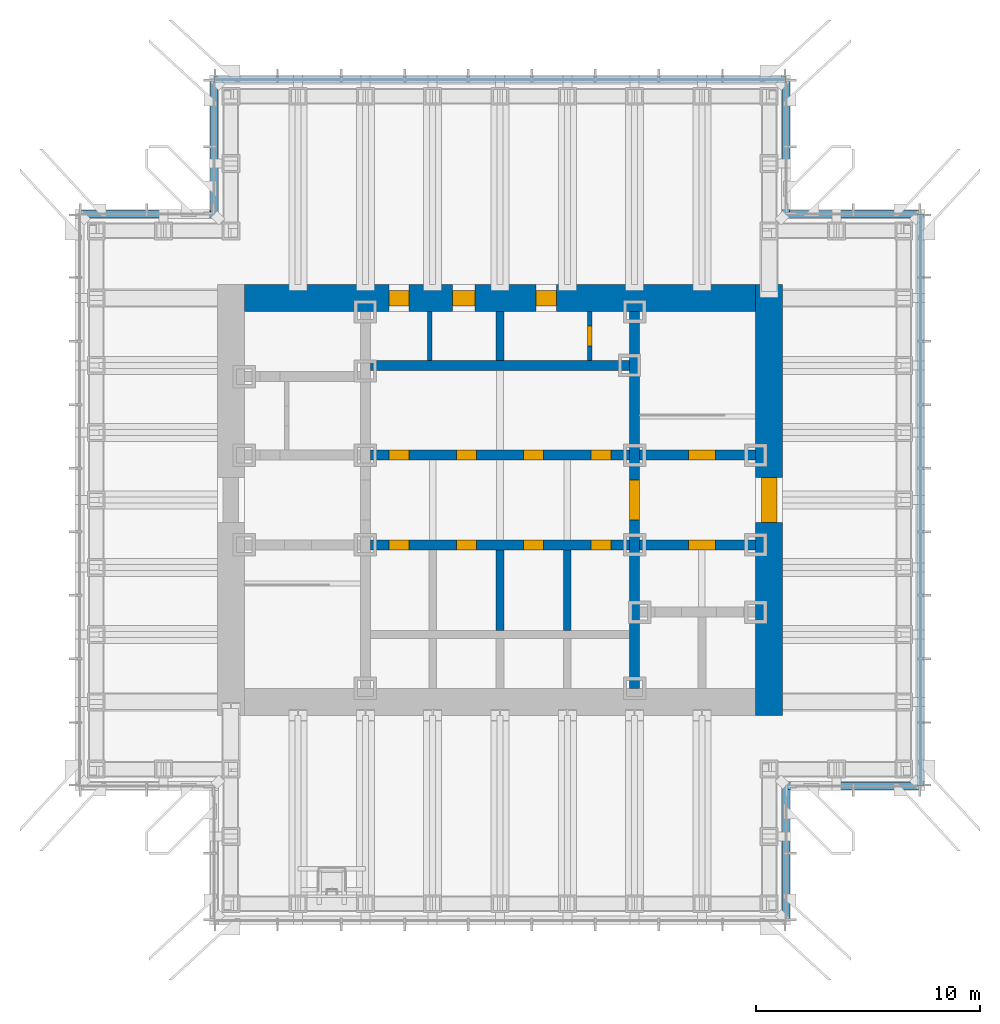
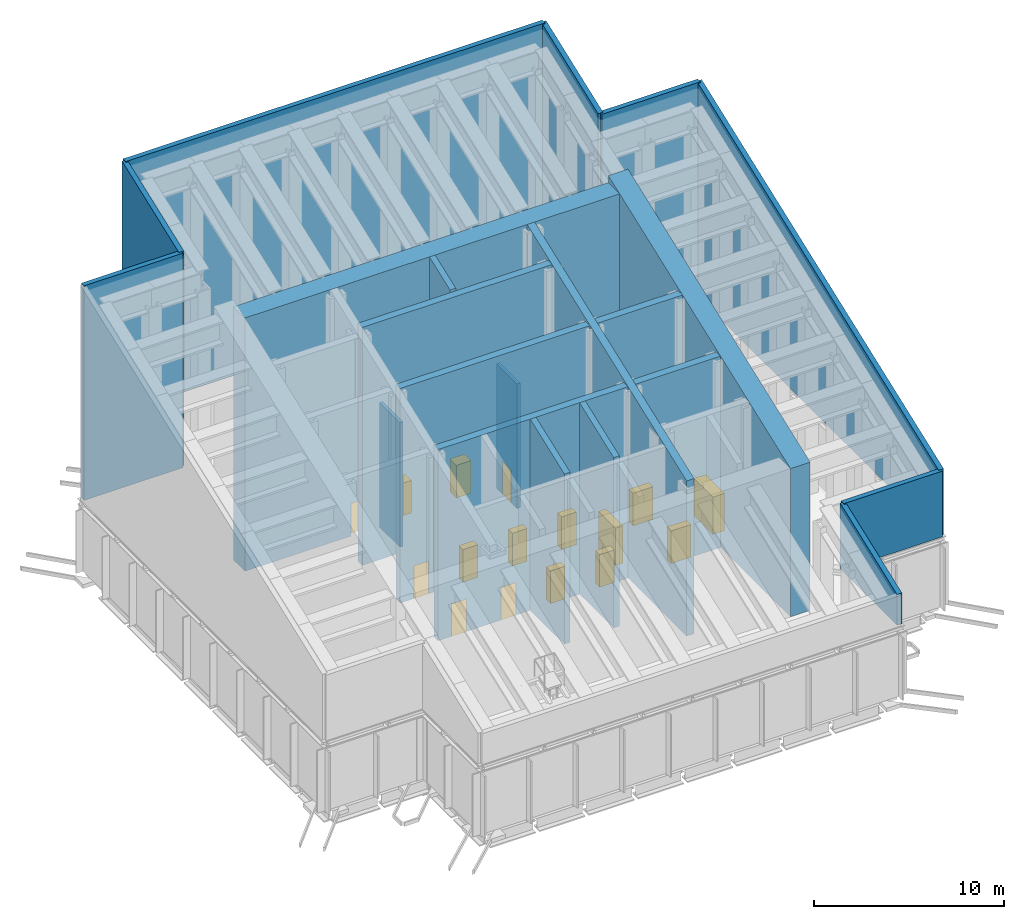
# One storey, part 11 of 15: 21 walls, 16 doors, 16 openings.
"""IFC4 building model written with IfcOpenShell, lengths in metres."""

from ifc_helpers import new_model, si_unit, direction, frame, frame_2d, origin, place, context, subcontext, project, spatial, polyline, rectangle, outline, extrude, material, layer, layer_set, type_object, element, fill, save


model = new_model("IFC4")

# Units and contexts
model_context = context("Model", 3, precision=1e-05, world=origin(), true_north=direction((0.0, 1.0)))
body_context = subcontext(model_context, "Body", "Model", "MODEL_VIEW")
ifc_project = project(units=[si_unit("LENGTHUNIT", "METRE"), si_unit("AREAUNIT", "SQUARE_METRE"), si_unit("VOLUMEUNIT", "CUBIC_METRE"), si_unit("PLANEANGLEUNIT", "RADIAN"), si_unit("MASSUNIT", "GRAM", prefix="KILO")], contexts=[model_context])

# Site, building, storey
site_placement = place(None, origin())
site = spatial("IfcSite", under=ifc_project, at=site_placement, CompositionType="ELEMENT")
building_placement = place(site_placement, origin())
building = spatial("IfcBuilding", under=site, at=building_placement, Name="Daluyong Arena Tower", CompositionType="ELEMENT")
storey_placement = place(building_placement, frame((0.0, 0.0, 285.699951171875)))
storey = spatial("IfcBuildingStorey", under=building, at=storey_placement, Name="L64", CompositionType="ELEMENT", Elevation=285.699951171875)

# Wall, opening, door
ifc_material_1 = material(Name="Concrete fc' 45 MPa", Category="concrete")
ifc_layer_1 = layer(ifc_material_1, 0.449951171875)
ifc_layer_set_1 = layer_set([ifc_layer_1], Name="Concrete fc' 45 MPa")
wall_type_1 = type_object("IfcWallType", Name="Core inner wall 450", PredefinedType="SHEAR", material=ifc_layer_set_1)
wall_1_placement = place(storey_placement, frame((62.0, 71.60009765625, 0.0), z_axis=(0.0, 0.0, 1.0), x_axis=(0.0, 1.0, 0.0)))
wall_1 = element("IfcWall", 1, at=wall_1_placement, inside=storey, type_object=wall_type_1, Name="core inner wall at L64", PredefinedType="SHEAR", context=body_context, shape_type="SweptSolid", body=[
    extrude(outline(polyline([(0.0, 0.0), (16.7998046875, 0.0), (16.800048828125, 16.292724609375), (0.0, 9.987060546875), (0.0, 0.0)])), frame((0.0, 0.22509765625, 0.0), z_axis=(0.0, -1.0, 0.0), x_axis=(1.0, 0.0, 0.0)), (0.0, 0.0, 1.0), 0.449951171875),
])
opening_1_placement = place(wall_1_placement, frame((7.5, 0.0, 0.0)))
opening_1 = element("IfcOpeningElement", 2, at=opening_1_placement, cuts=wall_1, Name="Opening 64021", PredefinedType="OPENING", context=body_context, shape_type="SweptSolid", body=[
    extrude(rectangle(XDim=1.800048828125, YDim=2.39990234375, at=frame_2d((0.89990234375, 1.199951171875))), frame((0.0, 0.23486328125, 0.0), z_axis=(0.0, -1.0, 0.0), x_axis=(1.0, 0.0, 0.0)), (0.0, 0.0, 1.0), 0.469970703125),
])
ifc_material_2 = material(Name="Steel door, fire rated", Category="steel")
door_type_1 = type_object("IfcDoorType", Name="Lift lobby opening door 1800", OperationType="DOUBLE_DOOR_SINGLE_SWING", PredefinedType="DOOR", material=ifc_material_2)
door_1_placement = place(opening_1_placement, origin())
door_1 = element("IfcDoor", 3, at=door_1_placement, inside=storey, type_object=door_type_1, Name="lift lobby door east 64021", OperationType="DOUBLE_DOOR_SINGLE_SWING", OverallHeight=2.39990234375, OverallWidth=1.800048828125, PredefinedType="DOOR", context=body_context, shape_type="SweptSolid", body=[
    extrude(rectangle(XDim=1.800048828125, YDim=2.39990234375, at=frame_2d((0.89990234375, 1.199951171875))), frame((0.0, 0.224609375, 0.0), z_axis=(0.0, -1.0, 0.0), x_axis=(1.0, 0.0, 0.0)), (0.0, 0.0, 1.0), 0.449462890625),
])
fill(opening_1, door_1)

wall_2_placement = place(storey_placement, frame((62.22509765625, 78.0, 0.0), z_axis=(0.0, 0.0, 1.0), x_axis=(1.0, 0.0, 0.0)))
wall_2 = element("IfcWall", 4, at=wall_2_placement, inside=storey, type_object=wall_type_1, Name="core inner wall at L64", PredefinedType="SHEAR", context=body_context, shape_type="SweptSolid", body=[
    extrude(outline(polyline([(0.0, 0.0), (5.1748046875, 0.0), (5.175048828125, 12.3046875), (0.0, 12.3046875), (0.0, 0.0)])), frame((0.0, 0.22509765625, 0.0), z_axis=(0.0, -1.0, 0.0), x_axis=(1.0, 0.0, 0.0)), (0.0, 0.0, 1.0), 0.449951171875),
])
opening_2_placement = place(wall_2_placement, frame((2.175048828125, 0.0, 0.0)))
opening_2 = element("IfcOpeningElement", 5, at=opening_2_placement, cuts=wall_2, Name="Opening 64022", PredefinedType="OPENING", context=body_context, shape_type="SweptSolid", body=[
    extrude(rectangle(XDim=1.199951171875, YDim=2.10009765625, at=frame_2d((0.60009765625, 1.050048828125))), frame((0.0, 0.23486328125, 0.0), z_axis=(0.0, -1.0, 0.0), x_axis=(1.0, 0.0, 0.0)), (0.0, 0.0, 1.0), 0.469970703125),
])
ifc_material_3 = material(Name="Steel door, fire rated", Category="steel")
door_type_2 = type_object("IfcDoorType", Name="Firefighting lobby door 1200", OperationType="SINGLE_SWING_RIGHT", PredefinedType="DOOR", material=ifc_material_3)
door_2_placement = place(opening_2_placement, origin())
door_2 = element("IfcDoor", 6, at=door_2_placement, inside=storey, type_object=door_type_2, Name="firefighting lobby door 64022", OperationType="SINGLE_SWING_RIGHT", OverallHeight=2.10009765625, OverallWidth=1.199951171875, PredefinedType="DOOR", context=body_context, shape_type="SweptSolid", body=[
    extrude(rectangle(XDim=1.199951171875, YDim=2.10009765625, at=frame_2d((0.60009765625, 1.050048828125))), frame((0.0, 0.224609375, 0.0), z_axis=(0.0, -1.0, 0.0), x_axis=(1.0, 0.0, 0.0)), (0.0, 0.0, 1.0), 0.449462890625),
])
fill(opening_2, door_2)

wall_3_placement = place(storey_placement, frame((62.22509765625, 82.0, 0.0), z_axis=(0.0, 0.0, 1.0), x_axis=(1.0, 0.0, 0.0)))
wall_3 = element("IfcWall", 7, at=wall_3_placement, inside=storey, type_object=wall_type_1, Name="core inner wall at L64", PredefinedType="SHEAR", context=body_context, shape_type="SweptSolid", body=[
    extrude(outline(polyline([(0.0, 0.0), (5.1748046875, 0.0), (5.175048828125, 13.80615234375), (0.0, 13.80615234375), (0.0, 0.0)])), frame((0.0, 0.22509765625, 0.0), z_axis=(0.0, -1.0, 0.0), x_axis=(1.0, 0.0, 0.0)), (0.0, 0.0, 1.0), 0.449951171875),
])
opening_3_placement = place(wall_3_placement, frame((2.175048828125, 0.0, 0.0)))
opening_3 = element("IfcOpeningElement", 8, at=opening_3_placement, cuts=wall_3, Name="Opening 64017", PredefinedType="OPENING", context=body_context, shape_type="SweptSolid", body=[
    extrude(rectangle(XDim=1.199951171875, YDim=2.10009765625, at=frame_2d((0.60009765625, 1.050048828125))), frame((0.0, 0.23486328125, 0.0), z_axis=(0.0, -1.0, 0.0), x_axis=(1.0, 0.0, 0.0)), (0.0, 0.0, 1.0), 0.469970703125),
])
ifc_material_4 = material(Name="Steel door, fire rated", Category="steel")
door_type_3 = type_object("IfcDoorType", Name="Stair door 1200", OperationType="SINGLE_SWING_LEFT", PredefinedType="DOOR", material=ifc_material_4)
door_3_placement = place(opening_3_placement, origin())
door_3 = element("IfcDoor", 9, at=door_3_placement, inside=storey, type_object=door_type_3, Name="stair B door 64017", OperationType="SINGLE_SWING_LEFT", OverallHeight=2.10009765625, OverallWidth=1.199951171875, PredefinedType="DOOR", context=body_context, shape_type="SweptSolid", body=[
    extrude(rectangle(XDim=1.199951171875, YDim=2.10009765625, at=frame_2d((0.60009765625, 1.050048828125))), frame((0.0, 0.224609375, 0.0), z_axis=(0.0, -1.0, 0.0), x_axis=(1.0, 0.0, 0.0)), (0.0, 0.0, 1.0), 0.449462890625),
])
fill(opening_3, door_3)

# Wall, openings, doors
wall_4_placement = place(storey_placement, frame((50.22509765625, 78.0, 0.0), z_axis=(0.0, 0.0, 1.0), x_axis=(1.0, 0.0, 0.0)))
wall_4 = element("IfcWall", 10, at=wall_4_placement, inside=storey, type_object=wall_type_1, Name="core inner wall at L64", PredefinedType="SHEAR", context=body_context, shape_type="SweptSolid", body=[
    extrude(outline(polyline([(0.0, 0.0), (11.5498046875, 0.0), (11.550048828125, 12.3046875), (0.0, 12.3046875), (0.0, 0.0)])), frame((0.0, 0.22509765625, 0.0), z_axis=(0.0, -1.0, 0.0), x_axis=(1.0, 0.0, 0.0)), (0.0, 0.0, 1.0), 0.449951171875),
])
opening_4_placement = place(wall_4_placement, frame((0.824951171875, 0.0, 0.0)))
opening_4 = element("IfcOpeningElement", 11, at=opening_4_placement, cuts=wall_4, Name="Opening 64008", PredefinedType="OPENING", context=body_context, shape_type="SweptSolid", body=[
    extrude(rectangle(XDim=0.89990234375, YDim=2.10009765625, at=frame_2d((0.449951171875, 1.050048828125))), frame((0.0, 0.23486328125, 0.0), z_axis=(0.0, -1.0, 0.0), x_axis=(1.0, 0.0, 0.0)), (0.0, 0.0, 1.0), 0.469970703125),
])
opening_5_placement = place(wall_4_placement, frame((3.824951171875, 0.0, 0.0)))
opening_5 = element("IfcOpeningElement", 12, at=opening_5_placement, cuts=wall_4, Name="Opening 64009", PredefinedType="OPENING", context=body_context, shape_type="SweptSolid", body=[
    extrude(rectangle(XDim=0.89990234375, YDim=2.10009765625, at=frame_2d((0.449951171875, 1.050048828125))), frame((0.0, 0.23486328125, 0.0), z_axis=(0.0, -1.0, 0.0), x_axis=(1.0, 0.0, 0.0)), (0.0, 0.0, 1.0), 0.469970703125),
])
opening_6_placement = place(wall_4_placement, frame((6.824951171875, 0.0, 0.0)))
opening_6 = element("IfcOpeningElement", 13, at=opening_6_placement, cuts=wall_4, Name="Opening 64010", PredefinedType="OPENING", context=body_context, shape_type="SweptSolid", body=[
    extrude(rectangle(XDim=0.89990234375, YDim=2.10009765625, at=frame_2d((0.449951171875, 1.050048828125))), frame((0.0, 0.23486328125, 0.0), z_axis=(0.0, -1.0, 0.0), x_axis=(1.0, 0.0, 0.0)), (0.0, 0.0, 1.0), 0.469970703125),
])
opening_7_placement = place(wall_4_placement, frame((9.824951171875, 0.0, 0.0)))
opening_7 = element("IfcOpeningElement", 14, at=opening_7_placement, cuts=wall_4, Name="Opening 64011", PredefinedType="OPENING", context=body_context, shape_type="SweptSolid", body=[
    extrude(rectangle(XDim=0.89990234375, YDim=2.10009765625, at=frame_2d((0.449951171875, 1.050048828125))), frame((0.0, 0.23486328125, 0.0), z_axis=(0.0, -1.0, 0.0), x_axis=(1.0, 0.0, 0.0)), (0.0, 0.0, 1.0), 0.469970703125),
])
ifc_material_5 = material(Name="Steel door, fire rated", Category="steel")
door_type_4 = type_object("IfcDoorType", Name="Core store door 900", OperationType="SINGLE_SWING_LEFT", PredefinedType="DOOR", material=ifc_material_5)
door_4_placement = place(opening_6_placement, origin())
door_4 = element("IfcDoor", 15, at=door_4_placement, inside=storey, type_object=door_type_4, Name="maintenance store door 64010", OperationType="SINGLE_SWING_LEFT", OverallHeight=2.10009765625, OverallWidth=0.89990234375, PredefinedType="DOOR", context=body_context, shape_type="SweptSolid", body=[
    extrude(rectangle(XDim=0.89990234375, YDim=2.10009765625, at=frame_2d((0.449951171875, 1.050048828125))), frame((0.0, 0.224609375, 0.0), z_axis=(0.0, -1.0, 0.0), x_axis=(1.0, 0.0, 0.0)), (0.0, 0.0, 1.0), 0.449462890625),
])
fill(opening_6, door_4)
door_5_placement = place(opening_7_placement, origin())
door_5 = element("IfcDoor", 16, at=door_5_placement, inside=storey, type_object=door_type_4, Name="plant spares store door 64011", OperationType="SINGLE_SWING_LEFT", OverallHeight=2.10009765625, OverallWidth=0.89990234375, PredefinedType="DOOR", context=body_context, shape_type="SweptSolid", body=[
    extrude(rectangle(XDim=0.89990234375, YDim=2.10009765625, at=frame_2d((0.449951171875, 1.050048828125))), frame((0.0, 0.224609375, 0.0), z_axis=(0.0, -1.0, 0.0), x_axis=(1.0, 0.0, 0.0)), (0.0, 0.0, 1.0), 0.449462890625),
])
fill(opening_7, door_5)
ifc_material_6 = material(Name="Steel door, fire rated", Category="steel")
door_type_5 = type_object("IfcDoorType", Name="Plant room door 900", OperationType="SINGLE_SWING_LEFT", PredefinedType="DOOR", material=ifc_material_6)
door_6_placement = place(opening_4_placement, origin())
door_6 = element("IfcDoor", 17, at=door_6_placement, inside=storey, type_object=door_type_5, Name="electrical switch room door 64008", OperationType="SINGLE_SWING_LEFT", OverallHeight=2.10009765625, OverallWidth=0.89990234375, PredefinedType="DOOR", context=body_context, shape_type="SweptSolid", body=[
    extrude(rectangle(XDim=0.89990234375, YDim=2.10009765625, at=frame_2d((0.449951171875, 1.050048828125))), frame((0.0, 0.224609375, 0.0), z_axis=(0.0, -1.0, 0.0), x_axis=(1.0, 0.0, 0.0)), (0.0, 0.0, 1.0), 0.449462890625),
])
fill(opening_4, door_6)
door_7_placement = place(opening_5_placement, origin())
door_7 = element("IfcDoor", 18, at=door_7_placement, inside=storey, type_object=door_type_5, Name="comms room door 64009", OperationType="SINGLE_SWING_LEFT", OverallHeight=2.10009765625, OverallWidth=0.89990234375, PredefinedType="DOOR", context=body_context, shape_type="SweptSolid", body=[
    extrude(rectangle(XDim=0.89990234375, YDim=2.10009765625, at=frame_2d((0.449951171875, 1.050048828125))), frame((0.0, 0.224609375, 0.0), z_axis=(0.0, -1.0, 0.0), x_axis=(1.0, 0.0, 0.0)), (0.0, 0.0, 1.0), 0.449462890625),
])
fill(opening_5, door_7)

wall_5_placement = place(storey_placement, frame((50.22509765625, 82.0, 0.0), z_axis=(0.0, 0.0, 1.0), x_axis=(1.0, 0.0, 0.0)))
wall_5 = element("IfcWall", 19, at=wall_5_placement, inside=storey, type_object=wall_type_1, Name="core inner wall at L64", PredefinedType="SHEAR", context=body_context, shape_type="SweptSolid", body=[
    extrude(outline(polyline([(0.0, 0.0), (11.5498046875, 0.0), (11.550048828125, 13.80615234375), (0.0, 13.80615234375), (0.0, 0.0)])), frame((0.0, 0.22509765625, 0.0), z_axis=(0.0, -1.0, 0.0), x_axis=(1.0, 0.0, 0.0)), (0.0, 0.0, 1.0), 0.449951171875),
])
opening_8_placement = place(wall_5_placement, frame((0.824951171875, 0.0, 0.0)))
opening_8 = element("IfcOpeningElement", 20, at=opening_8_placement, cuts=wall_5, Name="Opening 64012", PredefinedType="OPENING", context=body_context, shape_type="SweptSolid", body=[
    extrude(rectangle(XDim=0.89990234375, YDim=2.10009765625, at=frame_2d((0.449951171875, 1.050048828125))), frame((0.0, 0.23486328125, 0.0), z_axis=(0.0, -1.0, 0.0), x_axis=(1.0, 0.0, 0.0)), (0.0, 0.0, 1.0), 0.469970703125),
])
opening_9_placement = place(wall_5_placement, frame((3.824951171875, 0.0, 0.0)))
opening_9 = element("IfcOpeningElement", 21, at=opening_9_placement, cuts=wall_5, Name="Opening 64013", PredefinedType="OPENING", context=body_context, shape_type="SweptSolid", body=[
    extrude(rectangle(XDim=0.89990234375, YDim=2.10009765625, at=frame_2d((0.449951171875, 1.050048828125))), frame((0.0, 0.23486328125, 0.0), z_axis=(0.0, -1.0, 0.0), x_axis=(1.0, 0.0, 0.0)), (0.0, 0.0, 1.0), 0.469970703125),
])
opening_10_placement = place(wall_5_placement, frame((6.824951171875, 0.0, 0.0)))
opening_10 = element("IfcOpeningElement", 22, at=opening_10_placement, cuts=wall_5, Name="Opening 64014", PredefinedType="OPENING", context=body_context, shape_type="SweptSolid", body=[
    extrude(rectangle(XDim=0.89990234375, YDim=2.10009765625, at=frame_2d((0.449951171875, 1.050048828125))), frame((0.0, 0.23486328125, 0.0), z_axis=(0.0, -1.0, 0.0), x_axis=(1.0, 0.0, 0.0)), (0.0, 0.0, 1.0), 0.469970703125),
])
opening_11_placement = place(wall_5_placement, frame((9.824951171875, 0.0, 0.0)))
opening_11 = element("IfcOpeningElement", 23, at=opening_11_placement, cuts=wall_5, Name="Opening 64015", PredefinedType="OPENING", context=body_context, shape_type="SweptSolid", body=[
    extrude(rectangle(XDim=0.89990234375, YDim=2.10009765625, at=frame_2d((0.449951171875, 1.050048828125))), frame((0.0, 0.23486328125, 0.0), z_axis=(0.0, -1.0, 0.0), x_axis=(1.0, 0.0, 0.0)), (0.0, 0.0, 1.0), 0.469970703125),
])
door_8_placement = place(opening_8_placement, origin())
door_8 = element("IfcDoor", 24, at=door_8_placement, inside=storey, type_object=door_type_5, Name="stair a pressurisation plant room door 64012", OperationType="SINGLE_SWING_LEFT", OverallHeight=2.10009765625, OverallWidth=0.89990234375, PredefinedType="DOOR", context=body_context, shape_type="SweptSolid", body=[
    extrude(rectangle(XDim=0.89990234375, YDim=2.10009765625, at=frame_2d((0.449951171875, 1.050048828125))), frame((0.0, 0.224609375, 0.0), z_axis=(0.0, -1.0, 0.0), x_axis=(1.0, 0.0, 0.0)), (0.0, 0.0, 1.0), 0.449462890625),
])
fill(opening_8, door_8)
door_9_placement = place(opening_9_placement, origin())
door_9 = element("IfcDoor", 25, at=door_9_placement, inside=storey, type_object=door_type_5, Name="lobby pressurisation plant room door 64013", OperationType="SINGLE_SWING_LEFT", OverallHeight=2.10009765625, OverallWidth=0.89990234375, PredefinedType="DOOR", context=body_context, shape_type="SweptSolid", body=[
    extrude(rectangle(XDim=0.89990234375, YDim=2.10009765625, at=frame_2d((0.449951171875, 1.050048828125))), frame((0.0, 0.224609375, 0.0), z_axis=(0.0, -1.0, 0.0), x_axis=(1.0, 0.0, 0.0)), (0.0, 0.0, 1.0), 0.449462890625),
])
fill(opening_9, door_9)
door_10_placement = place(opening_10_placement, origin())
door_10 = element("IfcDoor", 26, at=door_10_placement, inside=storey, type_object=door_type_5, Name="lift shaft pressurisation plant room door 64014", OperationType="SINGLE_SWING_LEFT", OverallHeight=2.10009765625, OverallWidth=0.89990234375, PredefinedType="DOOR", context=body_context, shape_type="SweptSolid", body=[
    extrude(rectangle(XDim=0.89990234375, YDim=2.10009765625, at=frame_2d((0.449951171875, 1.050048828125))), frame((0.0, 0.224609375, 0.0), z_axis=(0.0, -1.0, 0.0), x_axis=(1.0, 0.0, 0.0)), (0.0, 0.0, 1.0), 0.449462890625),
])
fill(opening_10, door_10)
door_11_placement = place(opening_11_placement, origin())
door_11 = element("IfcDoor", 27, at=door_11_placement, inside=storey, type_object=door_type_5, Name="stair b pressurisation plant room door 64015", OperationType="SINGLE_SWING_LEFT", OverallHeight=2.10009765625, OverallWidth=0.89990234375, PredefinedType="DOOR", context=body_context, shape_type="SweptSolid", body=[
    extrude(rectangle(XDim=0.89990234375, YDim=2.10009765625, at=frame_2d((0.449951171875, 1.050048828125))), frame((0.0, 0.224609375, 0.0), z_axis=(0.0, -1.0, 0.0), x_axis=(1.0, 0.0, 0.0)), (0.0, 0.0, 1.0), 0.449462890625),
])
fill(opening_11, door_11)

# Wall
wall_6_placement = place(storey_placement, frame((50.22509765625, 86.0, 0.0), z_axis=(0.0, 0.0, 1.0), x_axis=(1.0, 0.0, 0.0)))
element("IfcWall", 28, at=wall_6_placement, inside=storey, type_object=wall_type_1, Name="core inner wall at L64", PredefinedType="SHEAR", context=body_context, shape_type="SweptSolid", body=[
    extrude(outline(polyline([(0.0, 0.0), (11.5498046875, 0.0), (11.550048828125, 15.307373046875), (0.0, 15.307373046875), (0.0, 0.0)])), frame((0.0, 0.22509765625, 0.0), z_axis=(0.0, -1.0, 0.0), x_axis=(1.0, 0.0, 0.0)), (0.0, 0.0, 1.0), 0.449951171875),
])

# Wall, opening, door
ifc_material_7 = material(Name="Concrete fc' 60 MPa", Category="concrete")
ifc_layer_2 = layer(ifc_material_7, 1.199951171875)
ifc_layer_set_2 = layer_set([ifc_layer_2], Name="Concrete fc' 60 MPa")
wall_type_2 = type_object("IfcWallType", Name="Core wall 1200", PredefinedType="SHEAR", material=ifc_layer_set_2)
wall_7_placement = place(storey_placement, frame((68.0, 70.39990234375, 0.0), z_axis=(0.0, 0.0, 1.0), x_axis=(0.0, 1.0, 0.0)))
wall_7 = element("IfcWall", 29, at=wall_7_placement, inside=storey, type_object=wall_type_2, Name="core wall at L64", PredefinedType="SHEAR", context=body_context, shape_type="SweptSolid", body=[
    extrude(outline(polyline([(0.0, 0.0), (19.2001953125, 0.0), (19.199951171875, 16.7431640625), (0.0, 9.53662109375), (0.0, 0.0)])), frame((0.0, 0.60009765625, 0.0), z_axis=(0.0, -1.0, 0.0), x_axis=(1.0, 0.0, 0.0)), (0.0, 0.0, 1.0), 1.199951171875),
])
opening_12_placement = place(wall_7_placement, frame((8.60009765625, 0.0, 0.0)))
opening_12 = element("IfcOpeningElement", 30, at=opening_12_placement, cuts=wall_7, Name="Opening 64019", PredefinedType="OPENING", context=body_context, shape_type="SweptSolid", body=[
    extrude(rectangle(XDim=2.0, YDim=2.39990234375, at=frame_2d((1.0, 1.199951171875))), frame((0.0, 0.60986328125, 0.0), z_axis=(0.0, -1.0, 0.0), x_axis=(1.0, 0.0, 0.0)), (0.0, 0.0, 1.0), 1.219970703125),
])
ifc_material_8 = material(Name="Steel door, fire rated", Category="steel")
door_type_6 = type_object("IfcDoorType", Name="Core lobby double door 2000", OperationType="DOUBLE_DOOR_SINGLE_SWING", PredefinedType="DOOR", material=ifc_material_8)
door_12_placement = place(opening_12_placement, origin())
door_12 = element("IfcDoor", 31, at=door_12_placement, inside=storey, type_object=door_type_6, Name="core lobby door east 64019", OperationType="DOUBLE_DOOR_SINGLE_SWING", OverallHeight=2.39990234375, OverallWidth=2.0, PredefinedType="DOOR", context=body_context, shape_type="SweptSolid", body=[
    extrude(rectangle(XDim=2.0, YDim=2.39990234375, at=frame_2d((1.0, 1.199951171875))), frame((0.0, 0.35009765625, 0.0), z_axis=(0.0, -1.0, 0.0), x_axis=(1.0, 0.0, 0.0)), (0.0, 0.0, 1.0), 0.699951171875),
])
fill(opening_12, door_12)

# Wall, openings, doors
wall_8_placement = place(storey_placement, frame((44.60009765625, 89.0, 0.0), z_axis=(0.0, 0.0, 1.0), x_axis=(1.0, 0.0, 0.0)))
wall_8 = element("IfcWall", 32, at=wall_8_placement, inside=storey, type_object=wall_type_2, Name="core wall at L64", PredefinedType="SHEAR", context=body_context, shape_type="SweptSolid", body=[
    extrude(outline(polyline([(0.0, 0.0), (22.7998046875, 0.0), (22.800048828125, 16.292724609375), (0.0, 16.292724609375), (0.0, 0.0)])), frame((0.0, 0.60009765625, 0.0), z_axis=(0.0, -1.0, 0.0), x_axis=(1.0, 0.0, 0.0)), (0.0, 0.0, 1.0), 1.199951171875),
])
opening_13_placement = place(wall_8_placement, frame((9.27490234375, 0.0, 0.0)))
opening_13 = element("IfcOpeningElement", 33, at=opening_13_placement, cuts=wall_8, Name="Opening 64004", PredefinedType="OPENING", context=body_context, shape_type="SweptSolid", body=[
    extrude(rectangle(XDim=1.0, YDim=2.10009765625, at=frame_2d((0.5, 1.050048828125))), frame((0.0, 0.60986328125, 0.0), z_axis=(0.0, -1.0, 0.0), x_axis=(1.0, 0.0, 0.0)), (0.0, 0.0, 1.0), 1.219970703125),
])
opening_14_placement = place(wall_8_placement, frame((6.449951171875, 0.0, 0.0)))
opening_14 = element("IfcOpeningElement", 34, at=opening_14_placement, cuts=wall_8, Name="Opening 64005", PredefinedType="OPENING", context=body_context, shape_type="SweptSolid", body=[
    extrude(rectangle(XDim=0.89990234375, YDim=2.10009765625, at=frame_2d((0.449951171875, 1.050048828125))), frame((0.0, 0.60986328125, 0.0), z_axis=(0.0, -1.0, 0.0), x_axis=(1.0, 0.0, 0.0)), (0.0, 0.0, 1.0), 1.219970703125),
])
opening_15_placement = place(wall_8_placement, frame((13.012451171875, 0.0, 0.0)))
opening_15 = element("IfcOpeningElement", 35, at=opening_15_placement, cuts=wall_8, Name="Opening 64006", PredefinedType="OPENING", context=body_context, shape_type="SweptSolid", body=[
    extrude(rectangle(XDim=0.89990234375, YDim=2.10009765625, at=frame_2d((0.449951171875, 1.050048828125))), frame((0.0, 0.60986328125, 0.0), z_axis=(0.0, -1.0, 0.0), x_axis=(1.0, 0.0, 0.0)), (0.0, 0.0, 1.0), 1.219970703125),
])
ifc_material_9 = material(Name="Timber door", Category="wood")
door_type_7 = type_object("IfcDoorType", Name="Accessible toilet door 1000", OperationType="SINGLE_SWING_LEFT", PredefinedType="DOOR", material=ifc_material_9)
door_13_placement = place(opening_13_placement, origin())
door_13 = element("IfcDoor", 36, at=door_13_placement, inside=storey, type_object=door_type_7, Name="accessible toilet door 64004", OperationType="SINGLE_SWING_LEFT", OverallHeight=2.10009765625, OverallWidth=1.0, PredefinedType="DOOR", context=body_context, shape_type="SweptSolid", body=[
    extrude(rectangle(XDim=1.0, YDim=2.10009765625, at=frame_2d((0.5, 1.050048828125))), frame((0.0, 0.35009765625, 0.0), z_axis=(0.0, -1.0, 0.0), x_axis=(1.0, 0.0, 0.0)), (0.0, 0.0, 1.0), 0.699951171875),
])
fill(opening_13, door_13)
door_14_placement = place(opening_14_placement, origin())
door_14 = element("IfcDoor", 37, at=door_14_placement, inside=storey, type_object=door_type_4, Name="facilities store door 64005", OperationType="SINGLE_SWING_LEFT", OverallHeight=2.10009765625, OverallWidth=0.89990234375, PredefinedType="DOOR", context=body_context, shape_type="SweptSolid", body=[
    extrude(rectangle(XDim=0.89990234375, YDim=2.10009765625, at=frame_2d((0.449951171875, 1.050048828125))), frame((0.0, 0.35009765625, 0.0), z_axis=(0.0, -1.0, 0.0), x_axis=(1.0, 0.0, 0.0)), (0.0, 0.0, 1.0), 0.699951171875),
])
fill(opening_14, door_14)
door_15_placement = place(opening_15_placement, origin())
door_15 = element("IfcDoor", 38, at=door_15_placement, inside=storey, type_object=door_type_4, Name="cleaner's store door 64006", OperationType="SINGLE_SWING_LEFT", OverallHeight=2.10009765625, OverallWidth=0.89990234375, PredefinedType="DOOR", context=body_context, shape_type="SweptSolid", body=[
    extrude(rectangle(XDim=0.89990234375, YDim=2.10009765625, at=frame_2d((0.449951171875, 1.050048828125))), frame((0.0, 0.35009765625, 0.0), z_axis=(0.0, -1.0, 0.0), x_axis=(1.0, 0.0, 0.0)), (0.0, 0.0, 1.0), 0.699951171875),
])
fill(opening_15, door_15)

# Walls
ifc_material_10 = material(Name="Bronze aluminium louvre cladding", Category="aluminium")
ifc_layer_3 = layer(ifc_material_10, 0.300048828125)
ifc_layer_set_3 = layer_set([ifc_layer_3], Name="Bronze aluminium louvre cladding")
wall_type_3 = type_object("IfcWallType", Name="Crown louvre wall 300", PredefinedType="SOLIDWALL", material=ifc_layer_set_3)
wall_9_placement = place(storey_placement, frame((68.75, 61.25, 4.586181640625), z_axis=(0.0, 0.0, 1.0), x_axis=(0.0, 1.0, 0.0)))
element("IfcWall", 39, at=wall_9_placement, inside=storey, type_object=wall_type_3, Name="crown louvre screen SE-E", PredefinedType="SOLIDWALL", context=body_context, shape_type="SweptSolid", body=[
    extrude(outline(polyline([(0.0, 0.0), (6.0, 0.0), (6.0, 4.228271484375), (0.0, 1.976318359375), (0.0, 0.0)])), frame((0.0, 0.14990234375, 0.0), z_axis=(0.0, -1.0, 0.0), x_axis=(1.0, 0.0, 0.0)), (0.0, 0.0, 1.0), 0.300048828125),
])
wall_10_placement = place(storey_placement, frame((68.75, 67.25, 4.586181640625), z_axis=(0.0, 0.0, 1.0), x_axis=(1.0, 0.0, 0.0)))
element("IfcWall", 40, at=wall_10_placement, inside=storey, type_object=wall_type_3, Name="crown louvre screen SE-S", PredefinedType="SOLIDWALL", context=body_context, shape_type="SweptSolid", body=[
    extrude(outline(polyline([(0.0, 0.0), (6.0, 0.0), (6.0, 4.228271484375), (0.0, 4.228271484375), (0.0, 0.0)])), frame((0.0, 0.14990234375, 0.0), z_axis=(0.0, -1.0, 0.0), x_axis=(1.0, 0.0, 0.0)), (0.0, 0.0, 1.0), 0.300048828125),
])
wall_11_placement = place(storey_placement, frame((74.75, 67.25, 4.586181640625), z_axis=(0.0, 0.0, 1.0), x_axis=(0.0, 1.0, 0.0)))
element("IfcWall", 41, at=wall_11_placement, inside=storey, type_object=wall_type_3, Name="crown louvre screen E", PredefinedType="SOLIDWALL", context=body_context, shape_type="SweptSolid", body=[
    extrude(outline(polyline([(0.0, 0.0), (25.5, 0.0), (25.5, 13.79931640625), (0.0, 4.228271484375), (0.0, 0.0)])), frame((0.0, 0.14990234375, 0.0), z_axis=(0.0, -1.0, 0.0), x_axis=(1.0, 0.0, 0.0)), (0.0, 0.0, 1.0), 0.300048828125),
])
wall_12_placement = place(storey_placement, frame((74.75, 92.75, 4.586181640625), z_axis=(0.0, 0.0, 1.0), x_axis=(-1.0, 0.0, 0.0)))
element("IfcWall", 42, at=wall_12_placement, inside=storey, type_object=wall_type_3, Name="crown louvre screen NE-N", PredefinedType="SOLIDWALL", context=body_context, shape_type="SweptSolid", body=[
    extrude(outline(polyline([(0.0, 0.0), (6.0, 0.0), (6.0, 13.79931640625), (0.0, 13.79931640625), (0.0, 0.0)])), frame((0.0, 0.14990234375, 0.0), z_axis=(0.0, -1.0, 0.0), x_axis=(1.0, 0.0, 0.0)), (0.0, 0.0, 1.0), 0.300048828125),
])
wall_13_placement = place(storey_placement, frame((68.75, 92.75, 4.586181640625), z_axis=(0.0, 0.0, 1.0), x_axis=(0.0, 1.0, 0.0)))
element("IfcWall", 43, at=wall_13_placement, inside=storey, type_object=wall_type_3, Name="crown louvre screen NE-E", PredefinedType="SOLIDWALL", context=body_context, shape_type="SweptSolid", body=[
    extrude(outline(polyline([(0.0, 0.0), (6.0, 0.0), (6.0, 16.051513671875), (0.0, 13.79931640625), (0.0, 0.0)])), frame((0.0, 0.14990234375, 0.0), z_axis=(0.0, -1.0, 0.0), x_axis=(1.0, 0.0, 0.0)), (0.0, 0.0, 1.0), 0.300048828125),
])
wall_14_placement = place(storey_placement, frame((68.75, 98.75, 4.586181640625), z_axis=(0.0, 0.0, 1.0), x_axis=(-1.0, 0.0, 0.0)))
element("IfcWall", 44, at=wall_14_placement, inside=storey, type_object=wall_type_3, Name="crown louvre screen N", PredefinedType="SOLIDWALL", context=body_context, shape_type="SweptSolid", body=[
    extrude(outline(polyline([(0.0, 0.0), (25.5, 0.0), (25.5, 16.051513671875), (0.0, 16.051513671875), (0.0, 0.0)])), frame((0.0, 0.14990234375, 0.0), z_axis=(0.0, -1.0, 0.0), x_axis=(1.0, 0.0, 0.0)), (0.0, 0.0, 1.0), 0.300048828125),
])
wall_15_placement = place(storey_placement, frame((43.25, 98.75, 4.586181640625), z_axis=(0.0, 0.0, 1.0), x_axis=(0.0, -1.0, 0.0)))
element("IfcWall", 45, at=wall_15_placement, inside=storey, type_object=wall_type_3, Name="crown louvre screen NW-W", PredefinedType="SOLIDWALL", context=body_context, shape_type="SweptSolid", body=[
    extrude(outline(polyline([(0.0, 0.0), (6.0, 0.0), (6.0, 13.79931640625), (0.0, 16.051513671875), (0.0, 0.0)])), frame((0.0, 0.14990234375, 0.0), z_axis=(0.0, -1.0, 0.0), x_axis=(1.0, 0.0, 0.0)), (0.0, 0.0, 1.0), 0.300048828125),
])
wall_16_placement = place(storey_placement, frame((43.25, 92.75, 4.586181640625), z_axis=(0.0, 0.0, 1.0), x_axis=(-1.0, 0.0, 0.0)))
element("IfcWall", 46, at=wall_16_placement, inside=storey, type_object=wall_type_3, Name="crown louvre screen NW-N", PredefinedType="SOLIDWALL", context=body_context, shape_type="SweptSolid", body=[
    extrude(outline(polyline([(0.0, 0.0), (6.0, 0.0), (6.0, 13.79931640625), (0.0, 13.79931640625), (0.0, 0.0)])), frame((0.0, 0.14990234375, 0.0), z_axis=(0.0, -1.0, 0.0), x_axis=(1.0, 0.0, 0.0)), (0.0, 0.0, 1.0), 0.300048828125),
])
ifc_material_11 = material(Name="Concrete block partition, fire rated", Category="concrete")
ifc_layer_4 = layer(ifc_material_11, 0.199951171875)
ifc_layer_set_4 = layer_set([ifc_layer_4], Name="Concrete block partition, fire rated")
wall_type_4 = type_object("IfcWallType", Name="Fire-rated partition 200", PredefinedType="PARTITIONING", material=ifc_layer_set_4)
wall_17_placement = place(storey_placement, frame((52.875, 86.22509765625, 0.0), z_axis=(0.0, 0.0, 1.0), x_axis=(0.0, 1.0, 0.0)))
element("IfcWall", 47, at=wall_17_placement, inside=storey, type_object=wall_type_4, Name="core room partition at L64", PredefinedType="PARTITIONING", context=body_context, shape_type="SweptSolid", body=[
    extrude(rectangle(XDim=2.1748046875, YDim=0.199951171875, at=frame_2d((1.08740234375, 0.0))), origin(), (0.0, 0.0, 1.0), 8.0),
])

# Wall, opening, door
wall_18_placement = place(storey_placement, frame((60.0, 86.22509765625, 0.0), z_axis=(0.0, 0.0, 1.0), x_axis=(0.0, 1.0, 0.0)))
wall_18 = element("IfcWall", 48, at=wall_18_placement, inside=storey, type_object=wall_type_4, Name="electrical riser enclosure at L64", PredefinedType="PARTITIONING", context=body_context, shape_type="SweptSolid", body=[
    extrude(rectangle(XDim=2.1748046875, YDim=0.199951171875, at=frame_2d((1.08740234375, 0.0))), origin(), (0.0, 0.0, 1.0), 8.0),
])
opening_16_placement = place(wall_18_placement, frame((0.637451171875, 0.0, 0.0)))
opening_16 = element("IfcOpeningElement", 49, at=opening_16_placement, cuts=wall_18, Name="Opening 64007", PredefinedType="OPENING", context=body_context, shape_type="SweptSolid", body=[
    extrude(rectangle(XDim=0.89990234375, YDim=2.10009765625, at=frame_2d((0.449951171875, 1.050048828125))), frame((0.0, 0.10986328125, 0.0), z_axis=(0.0, -1.0, 0.0), x_axis=(1.0, 0.0, 0.0)), (0.0, 0.0, 1.0), 0.219970703125),
])
ifc_material_12 = material(Name="Steel door, fire rated", Category="steel")
door_type_8 = type_object("IfcDoorType", Name="Riser door 900", OperationType="SINGLE_SWING_LEFT", PredefinedType="DOOR", material=ifc_material_12)
door_16_placement = place(opening_16_placement, origin())
door_16 = element("IfcDoor", 50, at=door_16_placement, inside=storey, type_object=door_type_8, Name="riser door 64007", OperationType="SINGLE_SWING_LEFT", OverallHeight=2.10009765625, OverallWidth=0.89990234375, PredefinedType="DOOR", context=body_context, shape_type="SweptSolid", body=[
    extrude(rectangle(XDim=0.89990234375, YDim=2.10009765625, at=frame_2d((0.449951171875, 1.050048828125))), frame((0.0, 0.099609375, 0.0), z_axis=(0.0, -1.0, 0.0), x_axis=(1.0, 0.0, 0.0)), (0.0, 0.0, 1.0), 0.199462890625),
])
fill(opening_16, door_16)

# Walls
ifc_material_13 = material(Name="Concrete fc' 45 MPa", Category="concrete")
ifc_layer_5 = layer(ifc_material_13, 0.35009765625)
ifc_layer_set_5 = layer_set([ifc_layer_5], Name="Concrete fc' 45 MPa")
wall_type_5 = type_object("IfcWallType", Name="Lift shaft wall 350", PredefinedType="SHEAR", material=ifc_layer_set_5)
for number, where, z_axis, x_axis, name in (
    (51, (56.0, 74.175048828125, 0.0), (0.0, 0.0, 1.0), (0.0, 1.0, 0.0), "lift shaft wall at L64"),
    (52, (59.0, 74.175048828125, 0.0), (0.0, 0.0, 1.0), (0.0, 1.0, 0.0), "lift shaft wall at L64"),
):
    element("IfcWall", number, at=place(storey_placement, frame(where, z_axis=z_axis, x_axis=x_axis)), inside=storey, type_object=wall_type_5, Name=name, PredefinedType="SHEAR", context=body_context, shape_type="SweptSolid", body=[
        extrude(outline(polyline([(0.0, 0.0), (3.599853515625, 0.0), (3.60009765625, 12.3046875), (0.0, 10.95361328125), (0.0, 0.0)])), frame((0.0, 0.175048828125, 0.0), z_axis=(0.0, -1.0, 0.0), x_axis=(1.0, 0.0, 0.0)), (0.0, 0.0, 1.0), 0.35009765625),
    ])
wall_19_placement = place(storey_placement, frame((56.0, 86.22509765625, 0.0), z_axis=(0.0, 0.0, 1.0), x_axis=(0.0, 1.0, 0.0)))
element("IfcWall", 53, at=wall_19_placement, inside=storey, type_object=wall_type_5, Name="lift shaft wall at L64", PredefinedType="SHEAR", context=body_context, shape_type="SweptSolid", body=[
    extrude(outline(polyline([(0.0, 0.0), (2.1748046875, 0.0), (2.175048828125, 16.292724609375), (0.0, 15.476318359375), (0.0, 0.0)])), frame((0.0, 0.175048828125, 0.0), z_axis=(0.0, -1.0, 0.0), x_axis=(1.0, 0.0, 0.0)), (0.0, 0.0, 1.0), 0.35009765625),
])

save(model, "model.ifc")
